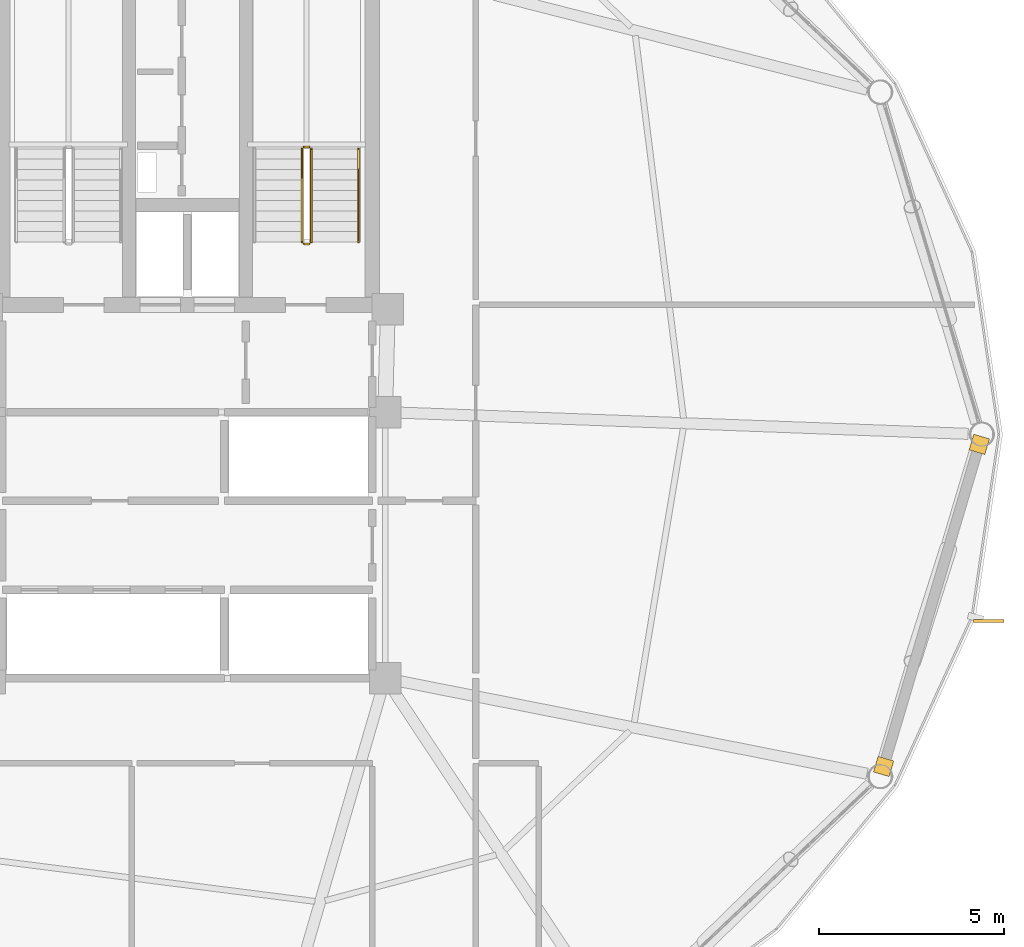
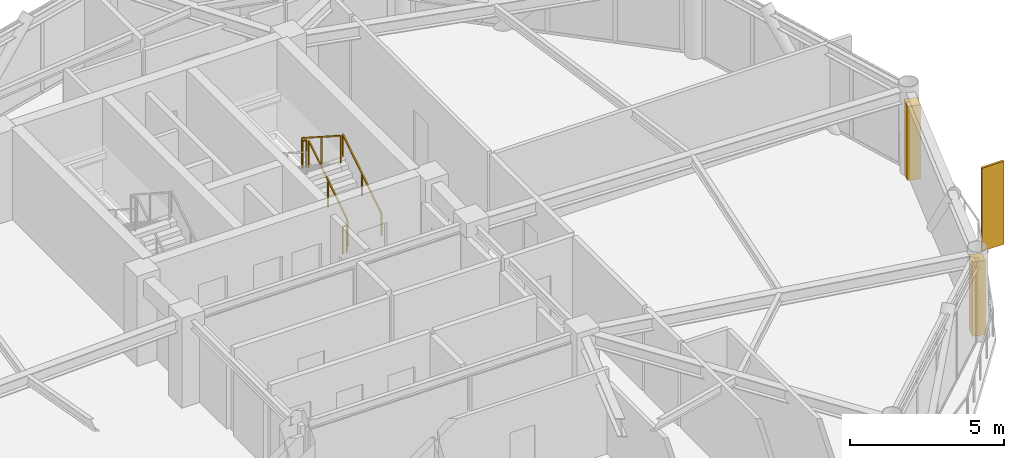
# One storey, part 27 of 28: 5 railings, 2 coverings, 1 shading device.
"""IFC4 building model written with IfcOpenShell, lengths in metres."""

from ifc_helpers import new_model, si_unit, direction, frame, origin, origin_2d, place, context, subcontext, project, spatial, rectangle, extrude, source, transform, mapped, material, layer, layer_set, type_object, type_shapes, element, save


model = new_model("IFC4")

# Units and contexts
model_context = context("Model", 3, precision=1e-05, world=origin(), true_north=direction((0.0, 1.0)))
body_context = subcontext(model_context, "Body", "Model", "MODEL_VIEW")
ifc_project = project(units=[si_unit("LENGTHUNIT", "METRE"), si_unit("AREAUNIT", "SQUARE_METRE"), si_unit("VOLUMEUNIT", "CUBIC_METRE"), si_unit("PLANEANGLEUNIT", "RADIAN"), si_unit("MASSUNIT", "GRAM", prefix="KILO")], contexts=[model_context])

# Site, building, storey
site_placement = place(None, origin())
site = spatial("IfcSite", under=ifc_project, at=site_placement, CompositionType="ELEMENT")
building_placement = place(site_placement, origin())
building = spatial("IfcBuilding", under=site, at=building_placement, Name="Varnakorn Sky Granary", CompositionType="ELEMENT")
storey_placement = place(building_placement, frame((0.0, 0.0, 186.0)))
storey = spatial("IfcBuildingStorey", under=building, at=storey_placement, Name="L46", CompositionType="ELEMENT", Elevation=186.0)

# Railings
ifc_material_1 = material(Name="Brushed Stainless Steel 316", Category="steel")
railing_type_1 = type_object("IfcRailingType", Name="RL-STAIR-1100", PredefinedType="GUARDRAIL", material=ifc_material_1)
railing_1_placement = place(storey_placement, frame((6.35009765625, 5.199951171875, 0.179931640625)))
element("IfcRailing", 1, at=railing_1_placement, inside=storey, type_object=railing_type_1, Name="L46 ST-2 stair guard 1", PredefinedType="GUARDRAIL", context=body_context, shape_type="SweptSolid", body=[
    extrude(rectangle(XDim=0.048095703125, YDim=0.048095703125, at=origin_2d()), frame((0.0, 0.0, 1.076171875), z_axis=(0.0, 0.841162588446, 0.540782303519), x_axis=(-1.0, 0.0, 0.0)), (0.0, 0.0, 1.0), 2.995849609375),
    extrude(rectangle(XDim=0.0419921875, YDim=0.0419921875, at=origin_2d()), origin(), (0.0, 0.0, 1.0), 1.048095703125),
    extrude(rectangle(XDim=0.0419921875, YDim=0.0419921875, at=origin_2d()), frame((0.0, 1.260009765625, 0.81005859375)), (0.0, 0.0, 1.0), 1.048095703125),
    extrude(rectangle(XDim=0.0419921875, YDim=0.0419921875, at=origin_2d()), frame((0.0, 2.52001953125, 1.6201171875)), (0.0, 0.0, 1.0), 1.048095703125),
])
railing_2_placement = place(storey_placement, frame((6.300048828125, 7.77001953125, 1.800048828125)))
element("IfcRailing", 2, at=railing_2_placement, inside=storey, type_object=railing_type_1, Name="L46 ST-2 stair guard 2", PredefinedType="GUARDRAIL", context=body_context, shape_type="SweptSolid", body=[
    extrude(rectangle(XDim=0.048095703125, YDim=0.048095703125, at=origin_2d()), frame((0.0, 0.0, 1.076171875), z_axis=(-1.0, 0.0, 0.0), x_axis=(0.0, -1.0, 0.0)), (0.0, 0.0, 1.0), 0.150146484375),
    extrude(rectangle(XDim=0.0419921875, YDim=0.0419921875, at=origin_2d()), origin(), (0.0, 0.0, 1.0), 1.048095703125),
    extrude(rectangle(XDim=0.0419921875, YDim=0.0419921875, at=origin_2d()), frame((-0.150146484375, 0.0, 0.0)), (0.0, 0.0, 1.0), 1.048095703125),
])
railing_3_placement = place(storey_placement, frame((6.10009765625, 7.719970703125, 1.97998046875)))
element("IfcRailing", 3, at=railing_3_placement, inside=storey, type_object=railing_type_1, Name="L46 ST-2 stair guard 3", PredefinedType="GUARDRAIL", context=body_context, shape_type="SweptSolid", body=[
    extrude(rectangle(XDim=0.048095703125, YDim=0.048095703125, at=origin_2d()), frame((0.0, 0.0, 1.076171875), z_axis=(0.0, -0.841162588446, 0.540782303519), x_axis=(1.0, 0.0, 0.0)), (0.0, 0.0, 1.0), 2.995849609375),
    extrude(rectangle(XDim=0.0419921875, YDim=0.0419921875, at=origin_2d()), origin(), (0.0, 0.0, 1.0), 1.048095703125),
    extrude(rectangle(XDim=0.0419921875, YDim=0.0419921875, at=origin_2d()), frame((0.0, -1.260009765625, 0.81005859375)), (0.0, 0.0, 1.0), 1.048095703125),
    extrude(rectangle(XDim=0.0419921875, YDim=0.0419921875, at=origin_2d()), frame((0.0, -2.52001953125, 1.6201171875)), (0.0, 0.0, 1.0), 1.048095703125),
])
railing_4_placement = place(storey_placement, frame((6.300048828125, 5.14990234375, 0.0)))
element("IfcRailing", 4, at=railing_4_placement, inside=storey, type_object=railing_type_1, Name="L46 ST-2 stair guard 4", PredefinedType="GUARDRAIL", context=body_context, shape_type="SweptSolid", body=[
    extrude(rectangle(XDim=0.048095703125, YDim=0.048095703125, at=origin_2d()), frame((0.0, 0.0, 1.076171875), z_axis=(-1.0, 0.0, 0.0), x_axis=(0.0, -1.0, 0.0)), (0.0, 0.0, 1.0), 0.150146484375),
    extrude(rectangle(XDim=0.0419921875, YDim=0.0419921875, at=origin_2d()), origin(), (0.0, 0.0, 1.0), 1.048095703125),
    extrude(rectangle(XDim=0.0419921875, YDim=0.0419921875, at=origin_2d()), frame((-0.150146484375, 0.0, 0.0)), (0.0, 0.0, 1.0), 1.048095703125),
])
railing_type_2 = type_object("IfcRailingType", Name="RL-STAIR-920", PredefinedType="HANDRAIL", material=ifc_material_1)
railing_5_placement = place(storey_placement, frame((7.6298828125, 5.199951171875, 0.179931640625)))
element("IfcRailing", 5, at=railing_5_placement, inside=storey, type_object=railing_type_2, Name="L46 ST-2 stair handrail 1", PredefinedType="HANDRAIL", context=body_context, shape_type="SweptSolid", body=[
    extrude(rectangle(XDim=0.048095703125, YDim=0.048095703125, at=origin_2d()), frame((0.0, 0.0, 0.8759765625), z_axis=(0.0, 0.841162588446, 0.540782303519), x_axis=(-1.0, 0.0, 0.0)), (0.0, 0.0, 1.0), 2.995849609375),
    extrude(rectangle(XDim=0.0419921875, YDim=0.0419921875, at=origin_2d()), origin(), (0.0, 0.0, 1.0), 0.847900390625),
    extrude(rectangle(XDim=0.0419921875, YDim=0.0419921875, at=origin_2d()), frame((0.0, 1.260009765625, 0.81005859375)), (0.0, 0.0, 1.0), 0.847900390625),
    extrude(rectangle(XDim=0.0419921875, YDim=0.0419921875, at=origin_2d()), frame((0.0, 2.52001953125, 1.6201171875)), (0.0, 0.0, 1.0), 0.847900390625),
])

# Shading device
ifc_material_2 = material(Name="Anodised Bronze Aluminium Alloy 6063-T6", Category="aluminium")
shading_device_type = type_object("IfcShadingDeviceType", Name="SH-FIN-02", PredefinedType="USERDEFINED", material=ifc_material_2)
shared_shape_1 = source(origin(), body_context, "Body", "SweptSolid", [
    extrude(rectangle(XDim=0.0849609375, YDim=0.820068359375, at=origin_2d()), origin(), (0.0, 0.0, 1.0), 3.300048828125),
])
type_shapes(shading_device_type, [shared_shape_1])
shading_device_placement = place(storey_placement, frame((24.67431640625, -5.047119140625, -0.0400390625), z_axis=(0.0, 0.0, 1.0), x_axis=(0.004033960112, 0.99999186355, 0.0)))
element("IfcShadingDevice", 6, at=shading_device_placement, inside=storey, type_object=shading_device_type, Name="Bronze Solar-Tracking Vertical Blade FIN L46-12", ObjectType="FIN", PredefinedType="USERDEFINED", context=body_context, shape_type="MappedRepresentation", body=[
    mapped(shared_shape_1, transform((0.0, 0.0, 0.0), x_axis=(1.0, 0.0, 0.0), y_axis=(0.0, 1.0, 0.0), z_axis=(0.0, 0.0, 1.0), scale=1.0)),
])

# Coverings
ifc_layer = layer(ifc_material_2, 0.050048828125, Name="Anodised Bronze Aluminium Alloy 6063-T6")
ifc_layer_set = layer_set([ifc_layer], Name="Anodised Bronze Aluminium Alloy 6063-T6")
covering_type = type_object("IfcCoveringType", Name="CV-CLAD-50", PredefinedType="CLADDING", material=ifc_layer_set)
shared_shape_2 = source(origin(), body_context, "Body", "SweptSolid", [
    extrude(rectangle(XDim=0.43994140625, YDim=0.43994140625, at=origin_2d()), origin(), (0.0, 0.0, 1.0), 2.949951171875),
])
type_shapes(covering_type, [shared_shape_2])
for number, where, z_axis, x_axis, name in (
    (7, (24.416015625, -0.273193359375, -0.02001953125), (0.0, 0.0, 1.0), (-0.284684657889, -0.95862122111, 0.0), "Bronze Corner Pilaster Closure L46-P12-A"),
    (8, (21.8291015625, -8.9833984375, -0.02001953125), (0.0, 0.0, 1.0), (-0.284684657889, -0.95862122111, 0.0), "Bronze Corner Pilaster Closure L46-P12-B"),
):
    element("IfcCovering", number, at=place(storey_placement, frame(where, z_axis=z_axis, x_axis=x_axis)), inside=storey, type_object=covering_type, Name=name, PredefinedType="CLADDING", context=body_context, shape_type="MappedRepresentation", body=[
        mapped(shared_shape_2, transform((0.0, 0.0, 0.0), x_axis=(1.0, 0.0, 0.0), y_axis=(0.0, 1.0, 0.0), z_axis=(0.0, 0.0, 1.0), scale=1.0)),
    ])

save(model, "model.ifc")
